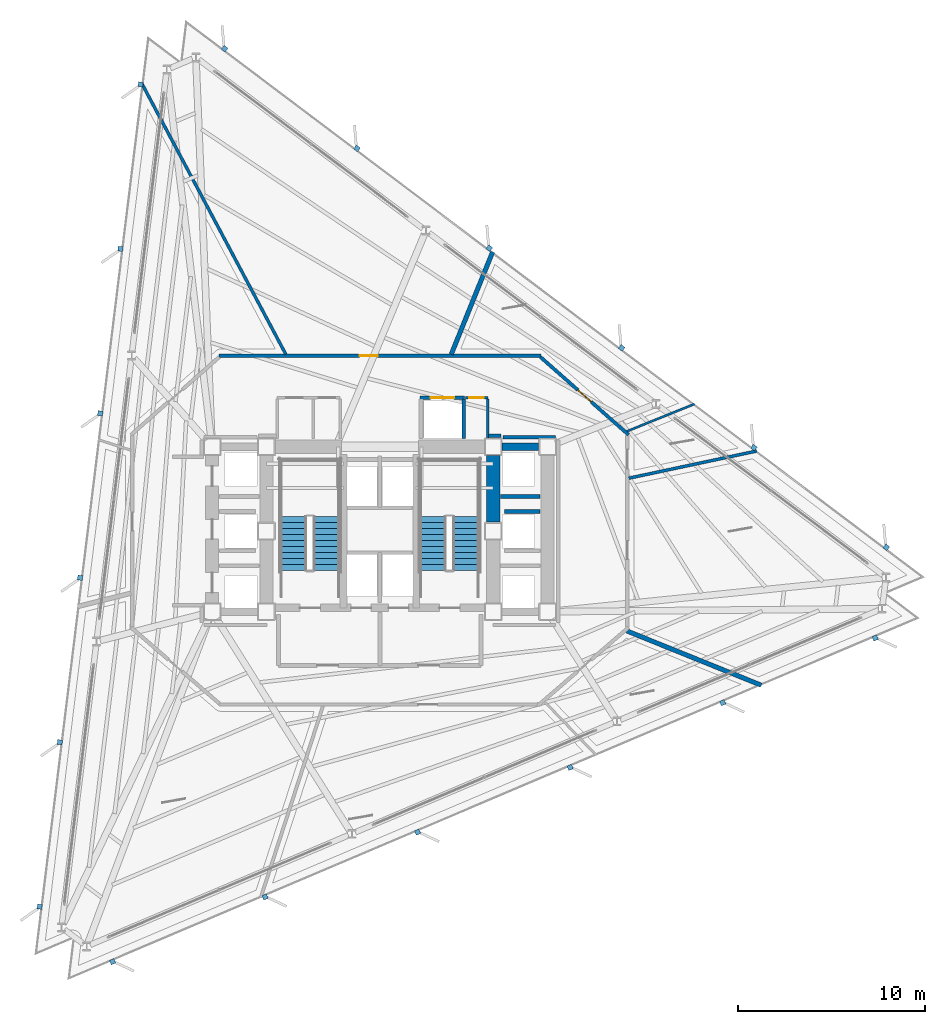
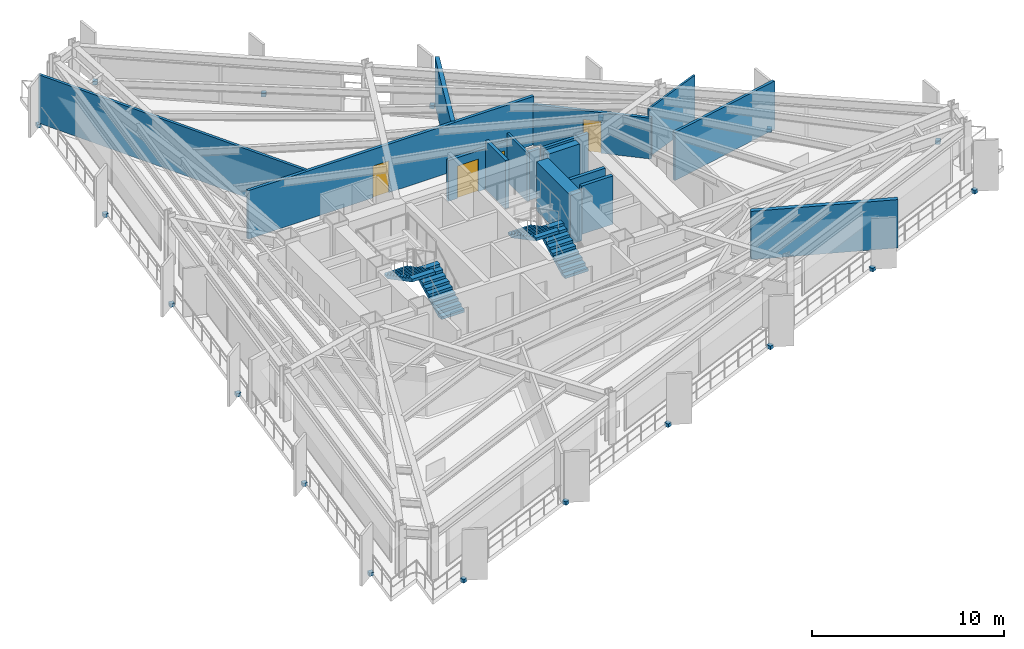
# One storey, part 8 of 13: 18 discrete accessories, 17 walls, 4 doors, 4 stair flights, 4 openings, 2 elements without a shape of their own.
"""IFC4 building model written with IfcOpenShell, lengths in metres."""

from ifc_helpers import new_model, si_unit, direction, frame, frame_2d, origin, origin_2d, place, context, subcontext, project, spatial, polyline, rectangle, outline, extrude, material, layer, layer_set, type_object, element, fill, aggregate, save


model = new_model("IFC4")

# Units and contexts
model_context = context("Model", 3, precision=1e-05, world=origin(), true_north=direction((0.0, 1.0)))
body_context = subcontext(model_context, "Body", "Model", "MODEL_VIEW")
ifc_project = project(units=[si_unit("LENGTHUNIT", "METRE"), si_unit("AREAUNIT", "SQUARE_METRE"), si_unit("VOLUMEUNIT", "CUBIC_METRE"), si_unit("PLANEANGLEUNIT", "RADIAN"), si_unit("MASSUNIT", "GRAM", prefix="KILO")], contexts=[model_context])

# Site, building, storey
site_placement = place(None, origin())
site = spatial("IfcSite", under=ifc_project, at=site_placement, CompositionType="ELEMENT")
building_placement = place(site_placement, origin())
building = spatial("IfcBuilding", under=site, at=building_placement, Name="Rocaltana Carrier Exchange", CompositionType="ELEMENT")
storey_placement = place(building_placement, frame((0.0, 0.0, 56.320068359375)))
storey = spatial("IfcBuildingStorey", under=building, at=storey_placement, Name="L17", CompositionType="ELEMENT", Elevation=56.320068359375)

# Walls
ifc_material_1 = material(Name="Double Acoustic Gypsum Partition", Category="gypsum")
ifc_layer_1 = layer(ifc_material_1, 0.159912109375)
ifc_layer_set_1 = layer_set([ifc_layer_1], Name="Double Acoustic Gypsum Partition")
wall_type_1 = type_object("IfcWallType", Name="Acoustic Studio Partition 160 EI60", PredefinedType="PARTITIONING", material=ifc_layer_set_1)
wall_1_placement = place(storey_placement, frame((13.280029296875, 2.82275390625, 0.0), z_axis=(0.0, 0.0, 1.0), x_axis=(0.978150237712, 0.207899284425, 0.0)))
element("IfcWall", 1, at=wall_1_placement, inside=storey, type_object=wall_type_1, Name="L17 Suite Divider Wall D5", PredefinedType="PARTITIONING", context=body_context, shape_type="SweptSolid", body=[
    extrude(rectangle(XDim=6.98828125, YDim=0.159912109375, at=frame_2d((3.494140625, 0.0))), origin(), (0.0, 0.0, 1.0), 3.072998046875),
])
wall_2_placement = place(storey_placement, frame((-5.013916015625, 9.429931640625, 0.0), z_axis=(0.0, 0.0, 1.0), x_axis=(-0.469473054772, 0.882946799554, 0.0)))
element("IfcWall", 2, at=wall_2_placement, inside=storey, type_object=wall_type_1, Name="L17 Suite Divider Wall D8", PredefinedType="PARTITIONING", context=body_context, shape_type="SweptSolid", body=[
    extrude(rectangle(XDim=16.37939453125, YDim=0.159912109375, at=frame_2d((8.189697265625, 0.0))), origin(), (0.0, 0.0, 1.0), 3.072998046875),
])
ifc_material_2 = material(Name="Concrete C50/60", Category="concrete")
ifc_layer_2 = layer(ifc_material_2, 0.39990234375)
ifc_layer_set_2 = layer_set([ifc_layer_2], Name="Concrete C50/60")
wall_type_2 = type_object("IfcWallType", Name="Core Internal Shear Wall 400", PredefinedType="SHEAR", material=ifc_layer_set_2)
wall_3_placement = place(storey_placement, frame((6.52490234375, 4.5, 0.0), z_axis=(0.0, 0.0, 1.0), x_axis=(1.0, 0.0, 0.0)))
element("IfcWall", 3, at=wall_3_placement, inside=storey, type_object=wall_type_2, Name="L17 Core Shear Wall CW-EWN", PredefinedType="SHEAR", context=body_context, shape_type="SweptSolid", body=[
    extrude(rectangle(XDim=1.9501953125, YDim=0.39990234375, at=frame_2d((0.97509765625, 0.0))), origin(), (0.0, 0.0, 1.0), 3.097900390625),
])
ifc_material_3 = material(Name="Concrete C60/75", Category="concrete")
ifc_layer_3 = layer(ifc_material_3, 0.699951171875)
ifc_layer_set_3 = layer_set([ifc_layer_3], Name="Concrete C60/75")
wall_type_3 = type_object("IfcWallType", Name="Core Shear Wall 700", PredefinedType="SHEAR", material=ifc_layer_set_3)
wall_4_placement = place(storey_placement, frame((6.050048828125, 0.47509765625, 0.0), z_axis=(0.0, 0.0, 1.0), x_axis=(0.0, 1.0, 0.0)))
element("IfcWall", 4, at=wall_4_placement, inside=storey, type_object=wall_type_3, Name="L17 Core Shear Wall CW-EN", PredefinedType="SHEAR", context=body_context, shape_type="SweptSolid", body=[
    extrude(rectangle(XDim=3.5498046875, YDim=0.699951171875, at=frame_2d((1.77490234375, 0.0))), origin(), (0.0, 0.0, 1.0), 3.097900390625),
])

# Wall, opening, door
ifc_material_4 = material(Name="Gypsum & Steel Stud Partition", Category="steel")
ifc_layer_4 = layer(ifc_material_4, 0.179931640625)
ifc_layer_set_4 = layer_set([ifc_layer_4], Name="Gypsum & Steel Stud Partition")
wall_type_4 = type_object("IfcWallType", Name="Corridor Fire Partition 180 EI60", PredefinedType="PARTITIONING", material=ifc_layer_set_4)
wall_5_placement = place(storey_placement, frame((-8.590087890625, 9.35009765625, 0.0), z_axis=(0.0, 0.0, 1.0), x_axis=(1.0, 0.0, 0.0)))
wall_5 = element("IfcWall", 5, at=wall_5_placement, inside=storey, type_object=wall_type_4, Name="L17 Corridor Partition 1", PredefinedType="PARTITIONING", context=body_context, shape_type="SweptSolid", body=[
    extrude(rectangle(XDim=17.18017578125, YDim=0.179931640625, at=frame_2d((8.590087890625, 0.0))), origin(), (0.0, 0.0, 1.0), 3.072998046875),
])
opening_1_placement = place(wall_5_placement, frame((7.505859375, 0.0, 0.0)))
opening_1 = element("IfcOpeningElement", 6, at=opening_1_placement, cuts=wall_5, Name="Opening D-RM098", PredefinedType="OPENING", context=body_context, shape_type="SweptSolid", body=[
    extrude(rectangle(XDim=0.9599609375, YDim=2.02001953125, at=frame_2d((0.47998046875, 1.010009765625))), frame((0.0, 0.099853515625, 0.0), z_axis=(0.0, -1.0, 0.0), x_axis=(1.0, 0.0, 0.0)), (0.0, 0.0, 1.0), 0.199951171875),
])
ifc_material_5 = material(Name="Engineered Hardwood Timber", Category="wood")
door_type_1 = type_object("IfcDoorType", Name="Workspace Single Door 960x2020", OperationType="NOTDEFINED", PredefinedType="DOOR", material=ifc_material_5)
door_1_placement = place(opening_1_placement, origin())
door_1 = element("IfcDoor", 7, at=door_1_placement, inside=storey, type_object=door_type_1, Name="L17 Quiet Focus Lounge Entrance Door", OperationType="SINGLE_SWING_LEFT", OverallHeight=2.02001953125, OverallWidth=0.9599609375, PredefinedType="DOOR", context=body_context, shape_type="SweptSolid", body=[
    extrude(rectangle(XDim=0.9599609375, YDim=2.02001953125, at=frame_2d((0.47998046875, 1.010009765625))), frame((0.0, 0.02490234375, 0.0), z_axis=(0.0, -1.0, 0.0), x_axis=(1.0, 0.0, 0.0)), (0.0, 0.0, 1.0), 0.050048828125),
])
fill(opening_1, door_1)

wall_6_placement = place(storey_placement, frame((8.5673828125, 9.290283203125, 0.0), z_axis=(0.0, 0.0, 1.0), x_axis=(0.749626463267, -0.66186113768, 0.0)))
wall_6 = element("IfcWall", 8, at=wall_6_placement, inside=storey, type_object=wall_type_4, Name="L17 Corridor Partition 2", PredefinedType="PARTITIONING", context=body_context, shape_type="SweptSolid", body=[
    extrude(rectangle(XDim=6.27001953125, YDim=0.179931640625, at=frame_2d((3.135009765625, 0.0))), origin(), (0.0, 0.0, 1.0), 2.5869140625),
])
opening_2_placement = place(wall_6_placement, frame((2.655029296875, 0.0, 0.0)))
opening_2 = element("IfcOpeningElement", 9, at=opening_2_placement, cuts=wall_6, Name="Opening D-RM098", PredefinedType="OPENING", context=body_context, shape_type="SweptSolid", body=[
    extrude(rectangle(XDim=0.9599609375, YDim=2.02001953125, at=frame_2d((0.47998046875, 1.010009765625))), frame((0.0, 0.099853515625, 0.0), z_axis=(0.0, -1.0, 0.0), x_axis=(1.0, 0.0, 0.0)), (0.0, 0.0, 1.0), 0.199951171875),
])
door_2_placement = place(opening_2_placement, origin())
door_2 = element("IfcDoor", 10, at=door_2_placement, inside=storey, type_object=door_type_1, Name="L17 Network Engineering Studio Entrance Door", OperationType="SINGLE_SWING_RIGHT", OverallHeight=2.02001953125, OverallWidth=0.9599609375, PredefinedType="DOOR", context=body_context, shape_type="SweptSolid", body=[
    extrude(rectangle(XDim=0.9599609375, YDim=2.02001953125, at=frame_2d((0.47998046875, 1.010009765625))), frame((0.0, 0.02490234375, 0.0), z_axis=(0.0, -1.0, 0.0), x_axis=(1.0, 0.0, 0.0)), (0.0, 0.0, 1.0), 0.050048828125),
])
fill(opening_2, door_2)

# Walls
wall_7_placement = place(storey_placement, frame((9.3701171875, 5.010009765625, 0.0), z_axis=(0.0, 0.0, 1.0), x_axis=(-1.0, 0.0, 0.0)))
element("IfcWall", 11, at=wall_7_placement, inside=storey, type_object=wall_type_4, Name="L17 Corridor Partition 18", PredefinedType="PARTITIONING", context=body_context, shape_type="SweptSolid", body=[
    extrude(rectangle(XDim=2.807861328125, YDim=0.179931640625, at=frame_2d((1.40380859375, 0.0))), origin(), (0.0, 0.0, 1.0), 3.072998046875),
])
wall_8_placement = place(storey_placement, frame((6.469970703125, 5.080078125, 0.0), z_axis=(0.0, 0.0, 1.0), x_axis=(-1.0, 0.0, 0.0)))
element("IfcWall", 12, at=wall_8_placement, inside=storey, type_object=wall_type_4, Name="L17 Corridor Partition 19", PredefinedType="PARTITIONING", context=body_context, shape_type="SweptSolid", body=[
    extrude(rectangle(XDim=0.679931640625, YDim=0.179931640625, at=frame_2d((0.33984375, 0.0))), origin(), (0.0, 0.0, 1.0), 3.072998046875),
])
ifc_material_6 = material(Name="Aluminium 6063-T6 & Acoustic Glass", Category="aluminium")
ifc_layer_5 = layer(ifc_material_6, 0.114990234375)
ifc_layer_set_5 = layer_set([ifc_layer_5], Name="Aluminium 6063-T6 & Acoustic Glass")
wall_type_5 = type_object("IfcWallType", Name="Demountable Glazed Lab Partition 115", PredefinedType="MOVABLE", material=ifc_layer_set_5)
wall_9_placement = place(storey_placement, frame((13.179443359375, 5.324951171875, 0.0), z_axis=(0.0, 0.0, 1.0), x_axis=(0.927199532139, 0.374567787725, 0.0)))
element("IfcWall", 13, at=wall_9_placement, inside=storey, type_object=wall_type_5, Name="L17 Suite Divider Wall D6", PredefinedType="MOVABLE", context=body_context, shape_type="SweptSolid", body=[
    extrude(rectangle(XDim=3.892578125, YDim=0.114990234375, at=frame_2d((1.9462890625, 0.0))), origin(), (0.0, 0.0, 1.0), 3.072998046875),
])
ifc_material_7 = material(Name="Acoustic Calcium Silicate Partition", Category="gypsum")
ifc_layer_6 = layer(ifc_material_7, 0.239990234375)
ifc_layer_set_6 = layer_set([ifc_layer_6], Name="Acoustic Calcium Silicate Partition")
wall_type_6 = type_object("IfcWallType", Name="Heavy Lab Partition 240 EI90", PredefinedType="PARTITIONING", material=ifc_layer_set_6)
wall_10_placement = place(storey_placement, frame((13.17822265625, -5.324462890625, 0.0), z_axis=(0.0, 0.0, 1.0), x_axis=(0.927191467136, -0.374587751094, 0.0)))
element("IfcWall", 14, at=wall_10_placement, inside=storey, type_object=wall_type_6, Name="L17 Suite Divider Wall D4", PredefinedType="PARTITIONING", context=body_context, shape_type="SweptSolid", body=[
    extrude(rectangle(XDim=7.736328125, YDim=0.239990234375, at=frame_2d((3.8681640625, 0.0))), origin(), (0.0, 0.0, 1.0), 3.072998046875),
])
wall_11_placement = place(storey_placement, frame((3.81005859375, 9.429931640625, 0.0), z_axis=(0.0, 0.0, 1.0), x_axis=(0.374593091461, 0.927189309596, 0.0)))
element("IfcWall", 15, at=wall_11_placement, inside=storey, type_object=wall_type_6, Name="L17 Suite Divider Wall D7", PredefinedType="PARTITIONING", context=body_context, shape_type="SweptSolid", body=[
    extrude(rectangle(XDim=5.897705078125, YDim=0.239990234375, at=frame_2d((2.94873046875, 0.0))), origin(), (0.0, 0.0, 1.0), 3.072998046875),
])
ifc_material_8 = material(Name="Reinforced Concrete Block C35/45", Category="concrete")
ifc_layer_7 = layer(ifc_material_8, 0.199951171875)
ifc_layer_set_7 = layer_set([ifc_layer_7], Name="Reinforced Concrete Block C35/45")
wall_type_7 = type_object("IfcWallType", Name="Lift Hoistway Enclosure Wall 200 EI120", PredefinedType="PARTITIONING", material=ifc_layer_set_7)
wall_12_placement = place(storey_placement, frame((4.47998046875, 4.949951171875, 0.0), z_axis=(0.0, 0.0, 1.0), x_axis=(0.0, 1.0, 0.0)))
element("IfcWall", 16, at=wall_12_placement, inside=storey, type_object=wall_type_7, Name="L17 Goods Lift East Wall", PredefinedType="PARTITIONING", context=body_context, shape_type="SweptSolid", body=[
    extrude(rectangle(XDim=2.10009765625, YDim=0.199951171875, at=frame_2d((1.050048828125, 0.0))), origin(), (0.0, 0.0, 1.0), 3.072998046875),
])

# Wall, opening, door
wall_13_placement = place(storey_placement, frame((2.14990234375, 7.1201171875, 0.0), z_axis=(0.0, 0.0, 1.0), x_axis=(1.0, 0.0, 0.0)))
wall_13 = element("IfcWall", 17, at=wall_13_placement, inside=storey, type_object=wall_type_7, Name="L17 Goods Lift Front Wall", PredefinedType="PARTITIONING", context=body_context, shape_type="SweptSolid", body=[
    extrude(rectangle(XDim=2.380126953125, YDim=0.199951171875, at=frame_2d((1.18994140625, 0.0))), origin(), (0.0, 0.0, 1.0), 2.5869140625),
])
opening_3_placement = place(wall_13_placement, frame((0.56005859375, 0.0, 0.0)))
opening_3 = element("IfcOpeningElement", 18, at=opening_3_placement, cuts=wall_13, Name="Opening LD-130", PredefinedType="OPENING", context=body_context, shape_type="SweptSolid", body=[
    extrude(rectangle(XDim=1.260009765625, YDim=2.06005859375, at=frame_2d((0.6298828125, 1.030029296875))), frame((0.0, 0.10986328125, 0.0), z_axis=(0.0, -1.0, 0.0), x_axis=(1.0, 0.0, 0.0)), (0.0, 0.0, 1.0), 0.219970703125),
])
ifc_material_9 = material(Name="Brushed Stainless Sliding Door Leaf", Category="steel")
door_type_2 = type_object("IfcDoorType", Name="Goods Lift Landing Sliding Door 1260x2060", OperationType="NOTDEFINED", PredefinedType="DOOR", material=ifc_material_9)
door_3_placement = place(opening_3_placement, origin())
door_3 = element("IfcDoor", 19, at=door_3_placement, inside=storey, type_object=door_type_2, Name="L17 Goods Lift GL-1 Landing Door", OperationType="SLIDING_TO_LEFT", OverallHeight=2.06005859375, OverallWidth=1.260009765625, PredefinedType="DOOR", context=body_context, shape_type="SweptSolid", body=[
    extrude(rectangle(XDim=1.260009765625, YDim=2.06005859375, at=frame_2d((0.6298828125, 1.030029296875))), frame((0.0, 0.02490234375, 0.0), z_axis=(0.0, -1.0, 0.0), x_axis=(1.0, 0.0, 0.0)), (0.0, 0.0, 1.0), 0.050048828125),
])
fill(opening_3, door_3)

# Walls
wall_14_placement = place(storey_placement, frame((6.449951171875, 1.85009765625, 0.0), z_axis=(0.0, 0.0, 1.0), x_axis=(1.0, 0.0, 0.0)))
element("IfcWall", 20, at=wall_14_placement, inside=storey, type_object=wall_type_7, Name="L17 Mid-Rise Shaft Divider 2", PredefinedType="PARTITIONING", context=body_context, shape_type="SweptSolid", body=[
    extrude(rectangle(XDim=2.10009765625, YDim=0.199951171875, at=frame_2d((1.050048828125, 0.0))), origin(), (0.0, 0.0, 1.0), 3.072998046875),
])
wall_15_placement = place(storey_placement, frame((6.639892578125, 1.050048828125, 0.0), z_axis=(0.0, 0.0, 1.0), x_axis=(1.0, 0.0, 0.0)))
element("IfcWall", 21, at=wall_15_placement, inside=storey, type_object=wall_type_7, Name="L17 Mid-Rise Center Shaft Wall North", PredefinedType="PARTITIONING", context=body_context, shape_type="SweptSolid", body=[
    extrude(rectangle(XDim=1.91015625, YDim=0.199951171875, at=frame_2d((0.955078125, 0.0))), origin(), (0.0, 0.0, 1.0), 3.072998046875),
])
ifc_material_10 = material(Name="Moisture-Resistant Masonry C30/37", Category="masonry")
ifc_layer_8 = layer(ifc_material_10, 0.139892578125)
ifc_layer_set_8 = layer_set([ifc_layer_8], Name="Moisture-Resistant Masonry C30/37")
wall_type_8 = type_object("IfcWallType", Name="Wet-Area Sanitary Partition 140", PredefinedType="PARTITIONING", material=ifc_layer_set_8)
wall_16_placement = place(storey_placement, frame((5.760009765625, 4.949951171875, 0.0), z_axis=(0.0, 0.0, 1.0), x_axis=(0.0, 1.0, 0.0)))
element("IfcWall", 22, at=wall_16_placement, inside=storey, type_object=wall_type_8, Name="L17 Riser East Wall", PredefinedType="PARTITIONING", context=body_context, shape_type="SweptSolid", body=[
    extrude(rectangle(XDim=2.10009765625, YDim=0.139892578125, at=frame_2d((1.050048828125, 0.0))), origin(), (0.0, 0.0, 1.0), 3.072998046875),
])

# Wall, opening, door
wall_17_placement = place(storey_placement, frame((4.56005859375, 7.1201171875, 0.0), z_axis=(0.0, 0.0, 1.0), x_axis=(1.0, 0.0, 0.0)))
wall_17 = element("IfcWall", 23, at=wall_17_placement, inside=storey, type_object=wall_type_8, Name="L17 Riser North Wall", PredefinedType="PARTITIONING", context=body_context, shape_type="SweptSolid", body=[
    extrude(rectangle(XDim=1.199951171875, YDim=0.139892578125, at=frame_2d((0.60009765625, 0.0))), origin(), (0.0, 0.0, 1.0), 2.5869140625),
])
opening_4_placement = place(wall_17_placement, frame((0.2099609375, 0.0, 0.0)))
opening_4 = element("IfcOpeningElement", 24, at=opening_4_placement, cuts=wall_17, Name="Opening D-RS082", PredefinedType="OPENING", context=body_context, shape_type="SweptSolid", body=[
    extrude(rectangle(XDim=0.780029296875, YDim=2.010009765625, at=frame_2d((0.39013671875, 1.0048828125))), frame((0.0, 0.079833984375, 0.0), z_axis=(0.0, -1.0, 0.0), x_axis=(1.0, 0.0, 0.0)), (0.0, 0.0, 1.0), 0.159912109375),
])
ifc_material_11 = material(Name="Hollow Metal Access Door Leaf", Category="steel")
door_type_3 = type_object("IfcDoorType", Name="Riser & Service Closet Door 780x2010", OperationType="NOTDEFINED", PredefinedType="DOOR", material=ifc_material_11)
door_4_placement = place(opening_4_placement, origin())
door_4 = element("IfcDoor", 25, at=door_4_placement, inside=storey, type_object=door_type_3, Name="L17 Fibre Riser Closet Door", OperationType="SINGLE_SWING_RIGHT", OverallHeight=2.010009765625, OverallWidth=0.780029296875, PredefinedType="DOOR", context=body_context, shape_type="SweptSolid", body=[
    extrude(rectangle(XDim=0.780029296875, YDim=2.010009765625, at=frame_2d((0.39013671875, 1.0048828125))), frame((0.0, 0.02490234375, 0.0), z_axis=(0.0, -1.0, 0.0), x_axis=(1.0, 0.0, 0.0)), (0.0, 0.0, 1.0), 0.050048828125),
])
fill(opening_4, door_4)

# Stair, stair flights
ifc_material_12 = material(Name="Precast concrete C45/55", Category="concrete")
stair_type = type_object("IfcStairType", Name="Standard Dog-Leg Stair 160", PredefinedType="HALF_TURN_STAIR", material=ifc_material_12)
stair_1_placement = place(storey_placement, origin())
stair_1 = element("IfcStair", 26, at=stair_1_placement, inside=storey, type_object=stair_type, Name="L17 Core West Exit Stair ST-1", PredefinedType="HALF_TURN_STAIR")
ifc_material_13 = material(Name="Precast concrete C45/55", Category="concrete")
stair_flight_type = type_object("IfcStairFlightType", Name="Precast Stair Flight 160", PredefinedType="STRAIGHT", material=ifc_material_13)
stair_flight_1_placement = place(storey_placement, frame((-2.840087890625, -2.10009765625, 0.0), z_axis=(0.0, 0.0, 1.0), x_axis=(0.0, 1.0, 0.0)))
stair_flight_1 = element("IfcStairFlight", 27, at=stair_flight_1_placement, type_object=stair_flight_type, Name="ST-1 flight 1", NumberOfRisers=10, NumberOfTreads=9, PredefinedType="STRAIGHT", RiserHeight=0.168, TreadLength=0.32, context=body_context, shape_type="SweptSolid", body=[
    extrude(outline(polyline([(0.0, 0.0), (0.0, 0.16796875), (0.320068359375, 0.16796875), (0.320068359375, 0.3359375), (0.639892578125, 0.3359375), (0.639892578125, 0.50390625), (0.9599609375, 0.50390625), (0.9599609375, 0.672119140625), (1.280029296875, 0.672119140625), (1.280029296875, 0.840087890625), (1.60009765625, 0.840087890625), (1.60009765625, 1.008056640625), (1.919921875, 1.008056640625), (1.919921875, 1.176025390625), (2.239990234375, 1.176025390625), (2.239990234375, 1.343994140625), (2.56005859375, 1.343994140625), (2.56005859375, 1.511962890625), (2.8798828125, 1.511962890625), (2.8798828125, 1.679931640625), (2.8798828125, 1.331298828125), (0.343994140625, 0.0), (0.0, 0.0)])), frame((0.0, 0.699951171875, 0.0), z_axis=(0.0, -1.0, 0.0), x_axis=(1.0, 0.0, 0.0)), (0.0, 0.0, 1.0), 1.39990234375),
])
stair_flight_2_placement = place(storey_placement, frame((-4.60009765625, 0.780029296875, 1.679931640625), z_axis=(0.0, 0.0, 1.0), x_axis=(0.0, -1.0, 0.0)))
stair_flight_2 = element("IfcStairFlight", 28, at=stair_flight_2_placement, type_object=stair_flight_type, Name="ST-1 flight 2", NumberOfRisers=10, NumberOfTreads=9, PredefinedType="STRAIGHT", RiserHeight=0.168, TreadLength=0.32, context=body_context, shape_type="SweptSolid", body=[
    extrude(outline(polyline([(0.0, 0.0), (0.0, 0.16796875), (0.320068359375, 0.16796875), (0.320068359375, 0.3359375), (0.639892578125, 0.3359375), (0.639892578125, 0.50390625), (0.9599609375, 0.50390625), (0.9599609375, 0.672119140625), (1.280029296875, 0.672119140625), (1.280029296875, 0.840087890625), (1.60009765625, 0.840087890625), (1.60009765625, 1.008056640625), (1.919921875, 1.008056640625), (1.919921875, 1.176025390625), (2.239990234375, 1.176025390625), (2.239990234375, 1.343994140625), (2.56005859375, 1.343994140625), (2.56005859375, 1.511962890625), (2.8798828125, 1.511962890625), (2.8798828125, 1.679931640625), (2.8798828125, 1.331298828125), (0.343994140625, 0.0), (0.0, 0.0)])), frame((0.0, 0.699951171875, 0.0), z_axis=(0.0, -1.0, 0.0), x_axis=(1.0, 0.0, 0.0)), (0.0, 0.0, 1.0), 1.39990234375),
])
aggregate(stair_1, [stair_flight_1, stair_flight_2])

stair_2_placement = place(storey_placement, origin())
stair_2 = element("IfcStair", 29, at=stair_2_placement, inside=storey, type_object=stair_type, Name="L17 Core East Exit Stair ST-2", PredefinedType="HALF_TURN_STAIR")
stair_flight_3_placement = place(storey_placement, frame((4.60009765625, -2.10009765625, 0.0), z_axis=(0.0, 0.0, 1.0), x_axis=(0.0, 1.0, 0.0)))
stair_flight_3 = element("IfcStairFlight", 30, at=stair_flight_3_placement, type_object=stair_flight_type, Name="ST-2 flight 1", NumberOfRisers=10, NumberOfTreads=9, PredefinedType="STRAIGHT", RiserHeight=0.168, TreadLength=0.32, context=body_context, shape_type="SweptSolid", body=[
    extrude(outline(polyline([(0.0, 0.0), (0.0, 0.16796875), (0.320068359375, 0.16796875), (0.320068359375, 0.3359375), (0.639892578125, 0.3359375), (0.639892578125, 0.50390625), (0.9599609375, 0.50390625), (0.9599609375, 0.672119140625), (1.280029296875, 0.672119140625), (1.280029296875, 0.840087890625), (1.60009765625, 0.840087890625), (1.60009765625, 1.008056640625), (1.919921875, 1.008056640625), (1.919921875, 1.176025390625), (2.239990234375, 1.176025390625), (2.239990234375, 1.343994140625), (2.56005859375, 1.343994140625), (2.56005859375, 1.511962890625), (2.8798828125, 1.511962890625), (2.8798828125, 1.679931640625), (2.8798828125, 1.331298828125), (0.343994140625, 0.0), (0.0, 0.0)])), frame((0.0, 0.699951171875, 0.0), z_axis=(0.0, -1.0, 0.0), x_axis=(1.0, 0.0, 0.0)), (0.0, 0.0, 1.0), 1.39990234375),
])
stair_flight_4_placement = place(storey_placement, frame((2.840087890625, 0.780029296875, 1.679931640625), z_axis=(0.0, 0.0, 1.0), x_axis=(0.0, -1.0, 0.0)))
stair_flight_4 = element("IfcStairFlight", 31, at=stair_flight_4_placement, type_object=stair_flight_type, Name="ST-2 flight 2", NumberOfRisers=10, NumberOfTreads=9, PredefinedType="STRAIGHT", RiserHeight=0.168, TreadLength=0.32, context=body_context, shape_type="SweptSolid", body=[
    extrude(outline(polyline([(0.0, 0.0), (0.0, 0.16796875), (0.320068359375, 0.16796875), (0.320068359375, 0.3359375), (0.639892578125, 0.3359375), (0.639892578125, 0.50390625), (0.9599609375, 0.50390625), (0.9599609375, 0.672119140625), (1.280029296875, 0.672119140625), (1.280029296875, 0.840087890625), (1.60009765625, 0.840087890625), (1.60009765625, 1.008056640625), (1.919921875, 1.008056640625), (1.919921875, 1.176025390625), (2.239990234375, 1.176025390625), (2.239990234375, 1.343994140625), (2.56005859375, 1.343994140625), (2.56005859375, 1.511962890625), (2.8798828125, 1.511962890625), (2.8798828125, 1.679931640625), (2.8798828125, 1.331298828125), (0.343994140625, 0.0), (0.0, 0.0)])), frame((0.0, 0.699951171875, 0.0), z_axis=(0.0, -1.0, 0.0), x_axis=(1.0, 0.0, 0.0)), (0.0, 0.0, 1.0), 1.39990234375),
])
aggregate(stair_2, [stair_flight_3, stair_flight_4])

# Discrete accessories
ifc_material_14 = material(Name="Brushed Architectural Stainless Metal", Category="steel")
ifc_layer_9 = layer(ifc_material_14, 0.219970703125)
ifc_layer_set_9 = layer_set([ifc_layer_9], Name="Brushed Architectural Stainless Metal")
discrete_accessory_type = type_object("IfcDiscreteAccessoryType", Name="Stainless Fin Slab-Edge Bracket 260x260x220", PredefinedType="BRACKET", material=ifc_layer_set_9)
for number, where, z_axis, x_axis, name in (
    (32, (27.0205078125, -0.86474609375, -0.2099609375), (0.0, 0.0, 1.0), (-0.798635510047, 0.601815023152, 0.0), "L17 Sandstone Fin Edge Bracket F1-01"),
    (33, (19.960693359375, 4.455322265625, -0.2099609375), (0.0, 0.0, 1.0), (-0.798635510047, 0.601815023152, 0.0), "L17 Sandstone Fin Edge Bracket F1-02"),
    (34, (12.900634765625, 9.775390625, -0.2099609375), (0.0, 0.0, 1.0), (-0.798635510047, 0.601815023152, 0.0), "L17 Sandstone Fin Edge Bracket F1-03"),
    (35, (5.8408203125, 15.095458984375, -0.2099609375), (0.0, 0.0, 1.0), (-0.798635510047, 0.601815023152, 0.0), "L17 Sandstone Fin Edge Bracket F1-04"),
    (36, (-1.21923828125, 20.415283203125, -0.2099609375), (0.0, 0.0, 1.0), (-0.798635510047, 0.601815023152, 0.0), "L17 Sandstone Fin Edge Bracket F1-05"),
    (37, (-8.279296875, 25.7353515625, -0.2099609375), (0.0, 0.0, 1.0), (-0.798635510047, 0.601815023152, 0.0), "L17 Sandstone Fin Edge Bracket F1-06"),
    (38, (-12.76123046875, 23.8330078125, -0.2099609375), (0.0, 0.0, 1.0), (-0.121869343405, -0.992546151641, 0.0), "L17 Sandstone Fin Edge Bracket F2-01"),
    (39, (-13.838623046875, 15.058837890625, -0.2099609375), (0.0, 0.0, 1.0), (-0.121869343405, -0.992546151641, 0.0), "L17 Sandstone Fin Edge Bracket F2-02"),
    (40, (-14.916015625, 6.28466796875, -0.2099609375), (0.0, 0.0, 1.0), (-0.121869343405, -0.992546151641, 0.0), "L17 Sandstone Fin Edge Bracket F2-03"),
    (41, (-15.993408203125, -2.489501953125, -0.2099609375), (0.0, 0.0, 1.0), (-0.121869343405, -0.992546151641, 0.0), "L17 Sandstone Fin Edge Bracket F2-04"),
    (42, (-17.070556640625, -11.263671875, -0.2099609375), (0.0, 0.0, 1.0), (-0.121869343405, -0.992546151641, 0.0), "L17 Sandstone Fin Edge Bracket F2-05"),
    (43, (-18.14794921875, -20.03759765625, -0.2099609375), (0.0, 0.0, 1.0), (-0.121869343405, -0.992546151641, 0.0), "L17 Sandstone Fin Edge Bracket F2-06"),
    (44, (-14.25927734375, -22.968017578125, -0.2099609375), (0.0, 0.0, 1.0), (0.920504853452, 0.390731128489, 0.0), "L17 Sandstone Fin Edge Bracket F3-01"),
    (45, (-6.121826171875, -19.513916015625, -0.2099609375), (0.0, 0.0, 1.0), (0.920504853452, 0.390731128489, 0.0), "L17 Sandstone Fin Edge Bracket F3-02"),
    (46, (2.015380859375, -16.06005859375, -0.2099609375), (0.0, 0.0, 1.0), (0.920504853452, 0.390731128489, 0.0), "L17 Sandstone Fin Edge Bracket F3-03"),
    (47, (10.152587890625, -12.60595703125, -0.2099609375), (0.0, 0.0, 1.0), (0.920504853452, 0.390731128489, 0.0), "L17 Sandstone Fin Edge Bracket F3-04"),
    (48, (18.289794921875, -9.15185546875, -0.2099609375), (0.0, 0.0, 1.0), (0.920504853452, 0.390731128489, 0.0), "L17 Sandstone Fin Edge Bracket F3-05"),
    (49, (26.427001953125, -5.69775390625, -0.2099609375), (0.0, 0.0, 1.0), (0.920504853452, 0.390731128489, 0.0), "L17 Sandstone Fin Edge Bracket F3-06"),
):
    element("IfcDiscreteAccessory", number, at=place(storey_placement, frame(where, z_axis=z_axis, x_axis=x_axis)), inside=storey, type_object=discrete_accessory_type, Name=name, PredefinedType="BRACKET", context=body_context, shape_type="SweptSolid", body=[
        extrude(rectangle(XDim=0.260009765625, YDim=0.260009765625, at=origin_2d()), origin(), (0.0, 0.0, 1.0), 0.219970703125),
    ])

save(model, "model.ifc")
